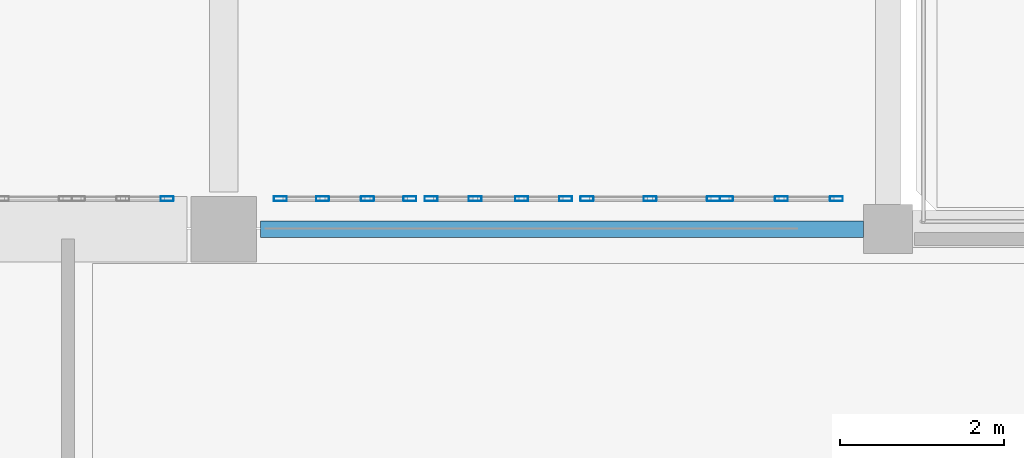
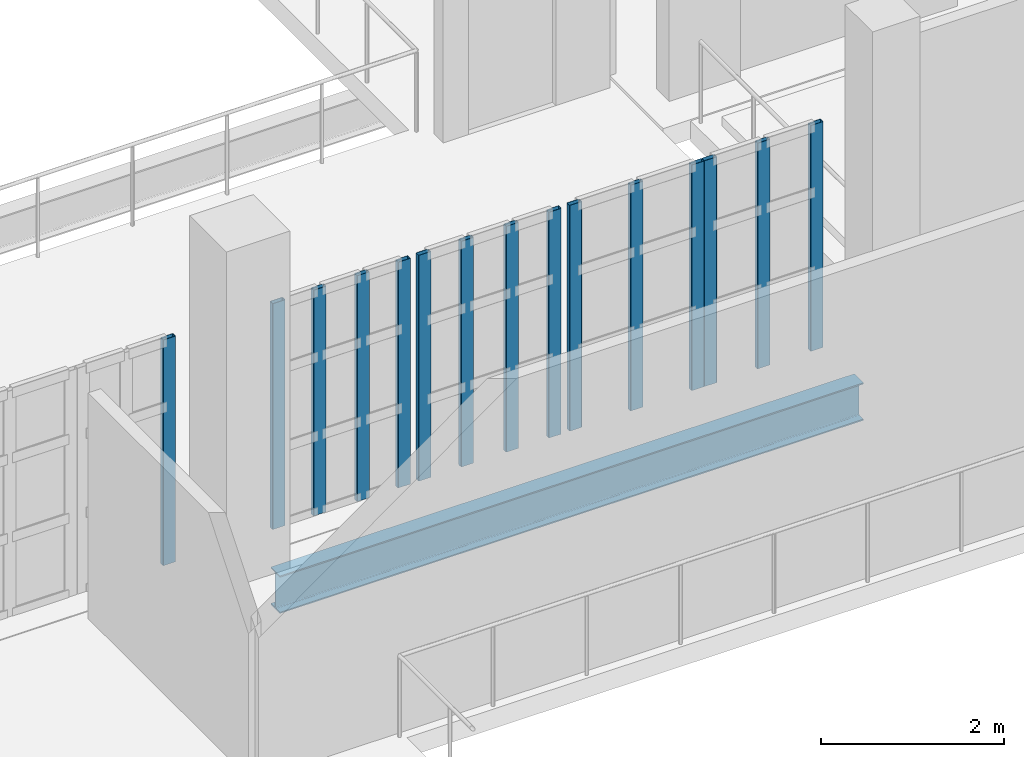
# One storey, part 18 of 73: 15 members, 1 beam, 5 elements without a shape of their own.
"""IFC4 building model written with IfcOpenShell, lengths in metres."""

from ifc_helpers import new_model, si_unit, direction, frame, origin, origin_2d, place, context, subcontext, project, spatial, hollow_rectangle, i_section, extrude, material, material_profile, profile_set, type_object, element, aggregate, save


model = new_model("IFC4")

# Units and contexts
model_context = context("Model", 3, precision=1e-05, world=origin(), true_north=direction((0.0, 1.0)))
body_context = subcontext(model_context, "Body", "Model", "MODEL_VIEW")
ifc_project = project(units=[si_unit("LENGTHUNIT", "METRE"), si_unit("AREAUNIT", "SQUARE_METRE"), si_unit("VOLUMEUNIT", "CUBIC_METRE"), si_unit("PLANEANGLEUNIT", "RADIAN"), si_unit("MASSUNIT", "GRAM", prefix="KILO")], contexts=[model_context])

# Site, building, storey
site_placement = place(None, origin())
site = spatial("IfcSite", under=ifc_project, at=site_placement, CompositionType="ELEMENT")
building_placement = place(site_placement, origin())
building = spatial("IfcBuilding", under=site, at=building_placement, Name="Kaelora Sail Theatre", CompositionType="ELEMENT")
storey_placement = place(building_placement, frame((0.0, 0.0, 10.199951171875)))
storey = spatial("IfcBuildingStorey", under=building, at=storey_placement, Name="L02", CompositionType="ELEMENT", Elevation=10.199951171875)

# Curtain wall, member
ifc_material_1 = material(Name="Anodised aluminium and solar-control low-E IGU", Category="aluminium")
curtain_wall_type = type_object("IfcCurtainWallType", Name="ARC-CW-CW-BRG", PredefinedType="NOTDEFINED", material=ifc_material_1)
curtain_wall_1_placement = place(storey_placement, origin())
curtain_wall_1 = element("IfcCurtainWall", 1, at=curtain_wall_1_placement, inside=storey, type_object=curtain_wall_type, Name="Glazed Foyer/Conservatory Curtain Wall FC1-S-L02-04", PredefinedType="NOTDEFINED")
ifc_material_2 = material(Name="Anodised aluminium 6063-T6", Category="aluminium")
ifc_material_profile_1 = material_profile(ifc_material_2, hollow_rectangle(XDim=0.06005859375, YDim=0.159912109375, WallThickness=0.00390625, InnerFilletRadius=0.00390625, OuterFilletRadius=0.008056640625, at=origin_2d()), Name="ALU-MULL 60x160x4")
ifc_profile_set_1 = profile_set([ifc_material_profile_1], Name="Anodised aluminium 6063-T6")
member_type = type_object("IfcMemberType", Name="ARC-MEM-ML-160", PredefinedType="MULLION", material=ifc_profile_set_1)
member_1_placement = place(storey_placement, frame((81.81005859375, 61.389892578125, 0.0), z_axis=(0.0, 0.0, 1.0), x_axis=(0.0, 1.0, 0.0)))
member_1 = element("IfcMember", 2, at=member_1_placement, type_object=member_type, Name="CW-BRG mullion 3", PredefinedType="MULLION", context=body_context, shape_type="SweptSolid", body=[
    extrude(hollow_rectangle(XDim=0.06005859375, YDim=0.159912109375, WallThickness=0.00390625, InnerFilletRadius=0.00390625, OuterFilletRadius=0.008056640625, at=origin_2d()), origin(), (0.0, 0.0, 1.0), 3.007080078125),
])
aggregate(curtain_wall_1, [member_1])

# Curtain wall, members
curtain_wall_2_placement = place(storey_placement, origin())
curtain_wall_2 = element("IfcCurtainWall", 3, at=curtain_wall_2_placement, inside=storey, type_object=curtain_wall_type, Name="Glazed Foyer/Conservatory Curtain Wall FC1-S-L02-05", PredefinedType="NOTDEFINED")
member_2_placement = place(storey_placement, frame((83.18994140625, 61.389892578125, 0.0), z_axis=(0.0, 0.0, 1.0), x_axis=(0.0, 1.0, 0.0)))
member_2 = element("IfcMember", 4, at=member_2_placement, type_object=member_type, Name="CW-BRG mullion 1", PredefinedType="MULLION", context=body_context, shape_type="SweptSolid", body=[
    extrude(hollow_rectangle(XDim=0.06005859375, YDim=0.159912109375, WallThickness=0.00390625, InnerFilletRadius=0.00390625, OuterFilletRadius=0.008056640625, at=origin_2d()), origin(), (0.0, 0.0, 1.0), 3.007080078125),
])
member_3_placement = place(storey_placement, frame((83.706787109375, 61.389892578125, 0.0), z_axis=(0.0, 0.0, 1.0), x_axis=(0.0, 1.0, 0.0)))
member_3 = element("IfcMember", 5, at=member_3_placement, type_object=member_type, Name="CW-BRG mullion 2", PredefinedType="MULLION", context=body_context, shape_type="SweptSolid", body=[
    extrude(hollow_rectangle(XDim=0.06005859375, YDim=0.159912109375, WallThickness=0.00390625, InnerFilletRadius=0.00390625, OuterFilletRadius=0.008056640625, at=origin_2d()), origin(), (0.0, 0.0, 1.0), 3.007080078125),
])
member_4_placement = place(storey_placement, frame((84.25341796875, 61.389892578125, 0.0), z_axis=(0.0, 0.0, 1.0), x_axis=(0.0, 1.0, 0.0)))
member_4 = element("IfcMember", 6, at=member_4_placement, type_object=member_type, Name="CW-BRG mullion 3", PredefinedType="MULLION", context=body_context, shape_type="SweptSolid", body=[
    extrude(hollow_rectangle(XDim=0.06005859375, YDim=0.159912109375, WallThickness=0.00390625, InnerFilletRadius=0.00390625, OuterFilletRadius=0.008056640625, at=origin_2d()), origin(), (0.0, 0.0, 1.0), 3.007080078125),
])
member_5_placement = place(storey_placement, frame((84.77001953125, 61.389892578125, 0.0), z_axis=(0.0, 0.0, 1.0), x_axis=(0.0, 1.0, 0.0)))
member_5 = element("IfcMember", 7, at=member_5_placement, type_object=member_type, Name="CW-BRG mullion 4", PredefinedType="MULLION", context=body_context, shape_type="SweptSolid", body=[
    extrude(hollow_rectangle(XDim=0.06005859375, YDim=0.159912109375, WallThickness=0.00390625, InnerFilletRadius=0.00390625, OuterFilletRadius=0.008056640625, at=origin_2d()), origin(), (0.0, 0.0, 1.0), 3.007080078125),
])
aggregate(curtain_wall_2, [member_2, member_3, member_4, member_5])

curtain_wall_3_placement = place(storey_placement, origin())
curtain_wall_3 = element("IfcCurtainWall", 8, at=curtain_wall_3_placement, inside=storey, type_object=curtain_wall_type, Name="Glazed Foyer/Conservatory Curtain Wall FC1-S-L02-06", PredefinedType="NOTDEFINED")
member_6_placement = place(storey_placement, frame((85.030029296875, 61.389892578125, 0.0), z_axis=(0.0, 0.0, 1.0), x_axis=(0.0, 1.0, 0.0)))
member_6 = element("IfcMember", 9, at=member_6_placement, type_object=member_type, Name="CW-BRG mullion 1", PredefinedType="MULLION", context=body_context, shape_type="SweptSolid", body=[
    extrude(hollow_rectangle(XDim=0.06005859375, YDim=0.159912109375, WallThickness=0.00390625, InnerFilletRadius=0.00390625, OuterFilletRadius=0.008056640625, at=origin_2d()), origin(), (0.0, 0.0, 1.0), 3.007080078125),
])
member_7_placement = place(storey_placement, frame((85.566650390625, 61.389892578125, 0.0), z_axis=(0.0, 0.0, 1.0), x_axis=(0.0, 1.0, 0.0)))
member_7 = element("IfcMember", 10, at=member_7_placement, type_object=member_type, Name="CW-BRG mullion 2", PredefinedType="MULLION", context=body_context, shape_type="SweptSolid", body=[
    extrude(hollow_rectangle(XDim=0.06005859375, YDim=0.159912109375, WallThickness=0.00390625, InnerFilletRadius=0.00390625, OuterFilletRadius=0.008056640625, at=origin_2d()), origin(), (0.0, 0.0, 1.0), 3.007080078125),
])
member_8_placement = place(storey_placement, frame((86.13330078125, 61.389892578125, 0.0), z_axis=(0.0, 0.0, 1.0), x_axis=(0.0, 1.0, 0.0)))
member_8 = element("IfcMember", 11, at=member_8_placement, type_object=member_type, Name="CW-BRG mullion 3", PredefinedType="MULLION", context=body_context, shape_type="SweptSolid", body=[
    extrude(hollow_rectangle(XDim=0.06005859375, YDim=0.159912109375, WallThickness=0.00390625, InnerFilletRadius=0.00390625, OuterFilletRadius=0.008056640625, at=origin_2d()), origin(), (0.0, 0.0, 1.0), 3.007080078125),
])
member_9_placement = place(storey_placement, frame((86.669921875, 61.389892578125, 0.0), z_axis=(0.0, 0.0, 1.0), x_axis=(0.0, 1.0, 0.0)))
member_9 = element("IfcMember", 12, at=member_9_placement, type_object=member_type, Name="CW-BRG mullion 4", PredefinedType="MULLION", context=body_context, shape_type="SweptSolid", body=[
    extrude(hollow_rectangle(XDim=0.06005859375, YDim=0.159912109375, WallThickness=0.00390625, InnerFilletRadius=0.00390625, OuterFilletRadius=0.008056640625, at=origin_2d()), origin(), (0.0, 0.0, 1.0), 3.007080078125),
])
aggregate(curtain_wall_3, [member_6, member_7, member_8, member_9])

curtain_wall_4_placement = place(storey_placement, origin())
curtain_wall_4 = element("IfcCurtainWall", 13, at=curtain_wall_4_placement, inside=storey, type_object=curtain_wall_type, Name="Glazed Foyer/Conservatory Curtain Wall FC1-S-L02-07", PredefinedType="NOTDEFINED")
member_10_placement = place(storey_placement, frame((86.929931640625, 61.389892578125, 0.0), z_axis=(0.0, 0.0, 1.0), x_axis=(0.0, 1.0, 0.0)))
member_10 = element("IfcMember", 14, at=member_10_placement, type_object=member_type, Name="CW-BRG mullion 1", PredefinedType="MULLION", context=body_context, shape_type="SweptSolid", body=[
    extrude(hollow_rectangle(XDim=0.06005859375, YDim=0.159912109375, WallThickness=0.00390625, InnerFilletRadius=0.00390625, OuterFilletRadius=0.008056640625, at=origin_2d()), origin(), (0.0, 0.0, 1.0), 3.007080078125),
])
member_11_placement = place(storey_placement, frame((87.699951171875, 61.389892578125, 0.0), z_axis=(0.0, 0.0, 1.0), x_axis=(0.0, 1.0, 0.0)))
member_11 = element("IfcMember", 15, at=member_11_placement, type_object=member_type, Name="CW-BRG mullion 2", PredefinedType="MULLION", context=body_context, shape_type="SweptSolid", body=[
    extrude(hollow_rectangle(XDim=0.06005859375, YDim=0.159912109375, WallThickness=0.00390625, InnerFilletRadius=0.00390625, OuterFilletRadius=0.008056640625, at=origin_2d()), origin(), (0.0, 0.0, 1.0), 3.007080078125),
])
member_12_placement = place(storey_placement, frame((88.469970703125, 61.389892578125, 0.0), z_axis=(0.0, 0.0, 1.0), x_axis=(0.0, 1.0, 0.0)))
member_12 = element("IfcMember", 16, at=member_12_placement, type_object=member_type, Name="CW-BRG mullion 3", PredefinedType="MULLION", context=body_context, shape_type="SweptSolid", body=[
    extrude(hollow_rectangle(XDim=0.06005859375, YDim=0.159912109375, WallThickness=0.00390625, InnerFilletRadius=0.00390625, OuterFilletRadius=0.008056640625, at=origin_2d()), origin(), (0.0, 0.0, 1.0), 3.007080078125),
])
aggregate(curtain_wall_4, [member_10, member_11, member_12])

curtain_wall_5_placement = place(storey_placement, origin())
curtain_wall_5 = element("IfcCurtainWall", 17, at=curtain_wall_5_placement, inside=storey, type_object=curtain_wall_type, Name="Glazed Foyer/Conservatory Curtain Wall FC1-S-L02-08", PredefinedType="NOTDEFINED")
member_13_placement = place(storey_placement, frame((88.6298828125, 61.389892578125, 0.0), z_axis=(0.0, 0.0, 1.0), x_axis=(0.0, 1.0, 0.0)))
member_13 = element("IfcMember", 18, at=member_13_placement, type_object=member_type, Name="CW-BRG mullion 1", PredefinedType="MULLION", context=body_context, shape_type="SweptSolid", body=[
    extrude(hollow_rectangle(XDim=0.06005859375, YDim=0.159912109375, WallThickness=0.00390625, InnerFilletRadius=0.00390625, OuterFilletRadius=0.008056640625, at=origin_2d()), origin(), (0.0, 0.0, 1.0), 3.007080078125),
])
member_14_placement = place(storey_placement, frame((89.300048828125, 61.389892578125, 0.0), z_axis=(0.0, 0.0, 1.0), x_axis=(0.0, 1.0, 0.0)))
member_14 = element("IfcMember", 19, at=member_14_placement, type_object=member_type, Name="CW-BRG mullion 2", PredefinedType="MULLION", context=body_context, shape_type="SweptSolid", body=[
    extrude(hollow_rectangle(XDim=0.06005859375, YDim=0.159912109375, WallThickness=0.00390625, InnerFilletRadius=0.00390625, OuterFilletRadius=0.008056640625, at=origin_2d()), origin(), (0.0, 0.0, 1.0), 3.007080078125),
])
member_15_placement = place(storey_placement, frame((89.969970703125, 61.389892578125, 0.0), z_axis=(0.0, 0.0, 1.0), x_axis=(0.0, 1.0, 0.0)))
member_15 = element("IfcMember", 20, at=member_15_placement, type_object=member_type, Name="CW-BRG mullion 3", PredefinedType="MULLION", context=body_context, shape_type="SweptSolid", body=[
    extrude(hollow_rectangle(XDim=0.06005859375, YDim=0.159912109375, WallThickness=0.00390625, InnerFilletRadius=0.00390625, OuterFilletRadius=0.008056640625, at=origin_2d()), origin(), (0.0, 0.0, 1.0), 3.007080078125),
])
aggregate(curtain_wall_5, [member_13, member_14, member_15])

# Beam
ifc_material_3 = material(Name="Steel S355", Category="steel")
ifc_material_profile_2 = material_profile(ifc_material_3, i_section(OverallWidth=0.199951171875, OverallDepth=0.5, WebThickness=0.01025390625, FlangeThickness=0.01611328125, FilletRadius=0.02099609375, at=origin_2d()), Name="IPE 500")
ifc_profile_set_2 = profile_set([ifc_material_profile_2], Name="Steel S355")
beam_type = type_object("IfcBeamType", Name="STR-BM-BM-IPE500", PredefinedType="BEAM", material=ifc_profile_set_2)
beam_placement = place(storey_placement, frame((82.949951171875, 61.02001953125, -0.544921875), z_axis=(1.0, 0.0, 0.0), x_axis=(0.0, 1.0, 0.0)))
element("IfcBeam", 21, at=beam_placement, inside=storey, type_object=beam_type, Name="Primary beam I 11-12 (L02)", PredefinedType="BEAM", context=body_context, shape_type="SweptSolid", body=[
    extrude(i_section(OverallWidth=0.199951171875, OverallDepth=0.5, WebThickness=0.01025390625, FlangeThickness=0.01611328125, FilletRadius=0.02099609375, at=origin_2d()), origin(), (0.0, 0.0, 1.0), 7.35009765625),
])

save(model, "model.ifc")
